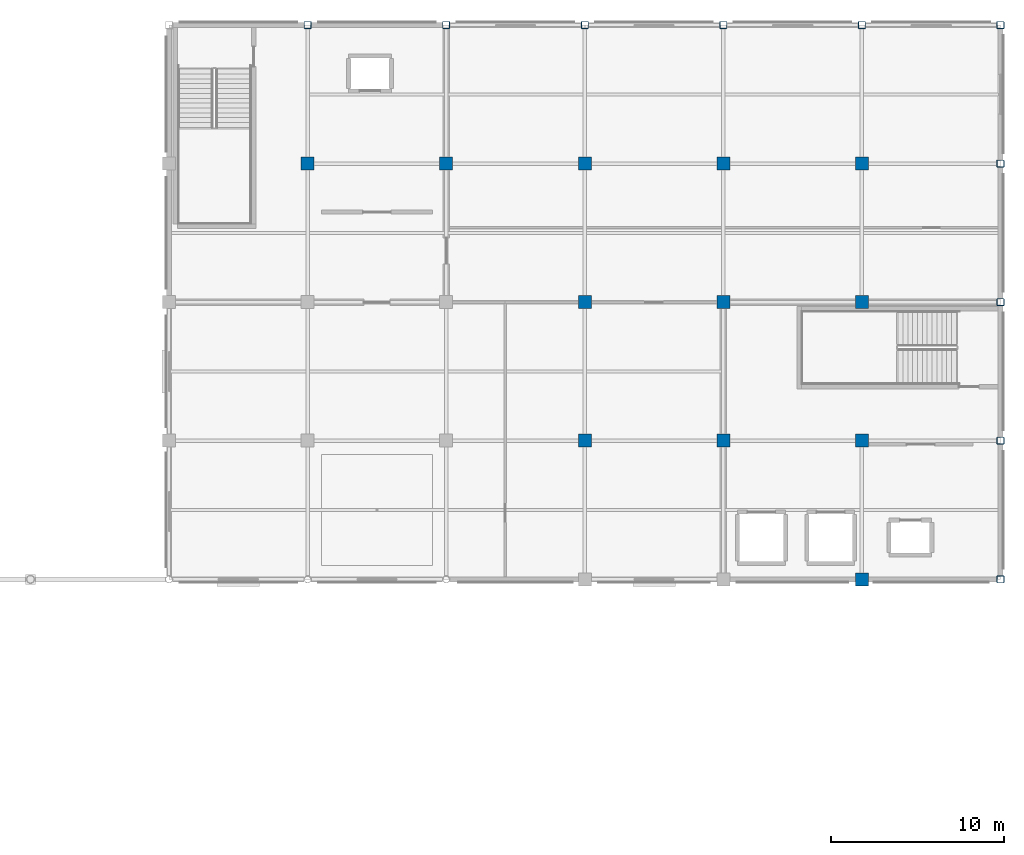
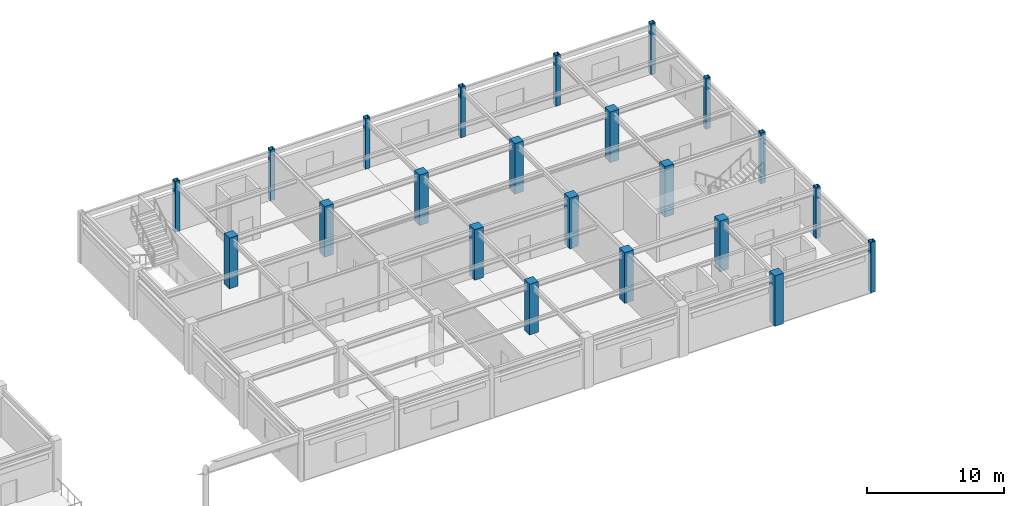
# One storey, part 14 of 78: 22 columns.
"""IFC4 building model written with IfcOpenShell, lengths in metres."""

from ifc_helpers import new_model, si_unit, direction, frame, origin, origin_2d, place, context, subcontext, project, spatial, rectangle, hollow_rectangle, extrude, material, material_profile, profile_set, type_object, element, save


model = new_model("IFC4")

# Units and contexts
model_context = context("Model", 3, precision=1e-05, world=origin(), true_north=direction((0.0, 1.0)))
body_context = subcontext(model_context, "Body", "Model", "MODEL_VIEW")
ifc_project = project(units=[si_unit("LENGTHUNIT", "METRE"), si_unit("AREAUNIT", "SQUARE_METRE"), si_unit("VOLUMEUNIT", "CUBIC_METRE"), si_unit("PLANEANGLEUNIT", "RADIAN"), si_unit("MASSUNIT", "GRAM", prefix="KILO")], contexts=[model_context])

# Site, building, storey
site_placement = place(None, origin())
site = spatial("IfcSite", under=ifc_project, at=site_placement, CompositionType="ELEMENT")
building_placement = place(site_placement, origin())
building = spatial("IfcBuilding", under=site, at=building_placement, Name="Solmirada Galleria", CompositionType="ELEMENT")
storey_placement = place(building_placement, frame((0.0, 0.0, 23.89990234375)))
storey = spatial("IfcBuildingStorey", under=building, at=storey_placement, Name="L05", CompositionType="ELEMENT", Elevation=23.89990234375)

# Columns
ifc_material_1 = material(Name="Steel S355 / ASTM A500 Grade C", Category="steel")
ifc_material_profile_1 = material_profile(ifc_material_1, hollow_rectangle(XDim=0.406005859375, YDim=0.406005859375, WallThickness=0.0146484375, InnerFilletRadius=0.0146484375, OuterFilletRadius=0.029296875, at=origin_2d()), Name="HSS16X16X5/8")
ifc_profile_set_1 = profile_set([ifc_material_profile_1], Name="Steel S355 / ASTM A500 Grade C")
column_type_1 = type_object("IfcColumnType", Name="COL-HSS16", PredefinedType="COLUMN", material=ifc_profile_set_1)
for number, where, z_axis, x_axis, name in (
    (1, (136.0, 120.0, 0.0), (0.0, 0.0, 1.0), (1.0, 0.0, 0.0), "Structural column L05-1202"),
    (2, (144.0, 120.0, 0.0), (0.0, 0.0, 1.0), (1.0, 0.0, 0.0), "Structural column L05-1288"),
    (3, (152.0, 120.0, 0.0), (0.0, 0.0, 1.0), (1.0, 0.0, 0.0), "Structural column L05-1361"),
    (4, (160.0, 120.0, 0.0), (0.0, 0.0, 1.0), (1.0, 0.0, 0.0), "Structural column L05-1434"),
    (5, (168.0, 120.0, 0.0), (0.0, 0.0, 1.0), (1.0, 0.0, 0.0), "Structural column L05-1507"),
    (6, (176.0, 88.0, 0.0), (0.0, 0.0, 1.0), (1.0, 0.0, 0.0), "Structural column L05-1544"),
    (7, (176.0, 96.0, 0.0), (0.0, 0.0, 1.0), (1.0, 0.0, 0.0), "Structural column L05-1553"),
    (8, (176.0, 104.0, 0.0), (0.0, 0.0, 1.0), (1.0, 0.0, 0.0), "Structural column L05-1562"),
    (9, (176.0, 112.0, 0.0), (0.0, 0.0, 1.0), (1.0, 0.0, 0.0), "Structural column L05-1571"),
    (10, (176.0, 120.0, 0.0), (0.0, 0.0, 1.0), (1.0, 0.0, 0.0), "Structural column L05-1580"),
):
    element("IfcColumn", number, at=place(storey_placement, frame(where, z_axis=z_axis, x_axis=x_axis)), inside=storey, type_object=column_type_1, Name=name, PredefinedType="COLUMN", context=body_context, shape_type="SweptSolid", body=[
        extrude(hollow_rectangle(XDim=0.406005859375, YDim=0.406005859375, WallThickness=0.0146484375, InnerFilletRadius=0.0146484375, OuterFilletRadius=0.029296875, at=origin_2d()), origin(), (0.0, 0.0, 1.0), 4.5),
    ])
ifc_material_2 = material(Name="Concrete C40/50", Category="concrete")
ifc_material_profile_2 = material_profile(ifc_material_2, rectangle(XDim=0.75, YDim=0.75, at=origin_2d()), Name="RC750X750")
ifc_profile_set_2 = profile_set([ifc_material_profile_2], Name="Concrete C40/50")
column_type_2 = type_object("IfcColumnType", Name="COL-RC750", PredefinedType="COLUMN", material=ifc_profile_set_2)
for number, where, z_axis, x_axis, name in (
    (11, (136.0, 112.0, 0.0), (0.0, 0.0, 1.0), (1.0, 0.0, 0.0), "Structural column L05-1193"),
    (12, (144.0, 112.0, 0.0), (0.0, 0.0, 1.0), (1.0, 0.0, 0.0), "Structural column L05-1279"),
    (13, (152.0, 96.0, 0.0), (0.0, 0.0, 1.0), (1.0, 0.0, 0.0), "Structural column L05-1334"),
    (14, (152.0, 104.0, 0.0), (0.0, 0.0, 1.0), (1.0, 0.0, 0.0), "Structural column L05-1343"),
    (15, (152.0, 112.0, 0.0), (0.0, 0.0, 1.0), (1.0, 0.0, 0.0), "Structural column L05-1352"),
    (16, (160.0, 96.0, 0.0), (0.0, 0.0, 1.0), (1.0, 0.0, 0.0), "Structural column L05-1407"),
    (17, (160.0, 104.0, 0.0), (0.0, 0.0, 1.0), (1.0, 0.0, 0.0), "Structural column L05-1416"),
    (18, (160.0, 112.0, 0.0), (0.0, 0.0, 1.0), (1.0, 0.0, 0.0), "Structural column L05-1425"),
    (19, (168.0, 88.0, 0.0), (0.0, 0.0, 1.0), (1.0, 0.0, 0.0), "Structural column L05-1471"),
    (20, (168.0, 96.0, 0.0), (0.0, 0.0, 1.0), (1.0, 0.0, 0.0), "Structural column L05-1480"),
    (21, (168.0, 104.0, 0.0), (0.0, 0.0, 1.0), (1.0, 0.0, 0.0), "Structural column L05-1489"),
    (22, (168.0, 112.0, 0.0), (0.0, 0.0, 1.0), (1.0, 0.0, 0.0), "Structural column L05-1498"),
):
    element("IfcColumn", number, at=place(storey_placement, frame(where, z_axis=z_axis, x_axis=x_axis)), inside=storey, type_object=column_type_2, Name=name, PredefinedType="COLUMN", context=body_context, shape_type="SweptSolid", body=[
        extrude(rectangle(XDim=0.75, YDim=0.75, at=origin_2d()), origin(), (0.0, 0.0, 1.0), 4.5),
    ])

save(model, "model.ifc")
